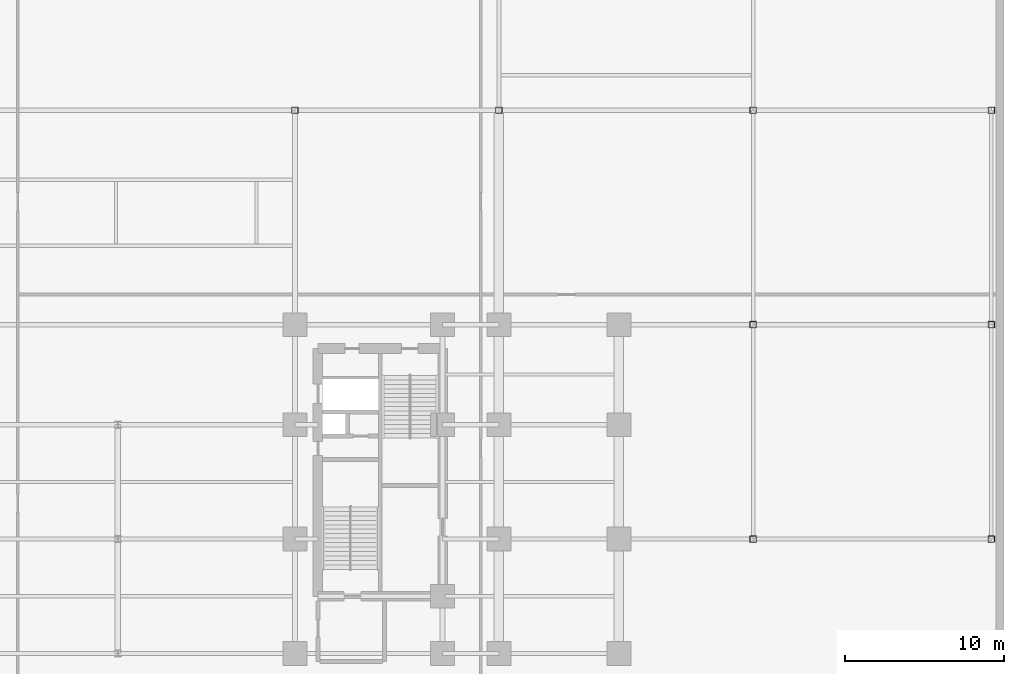
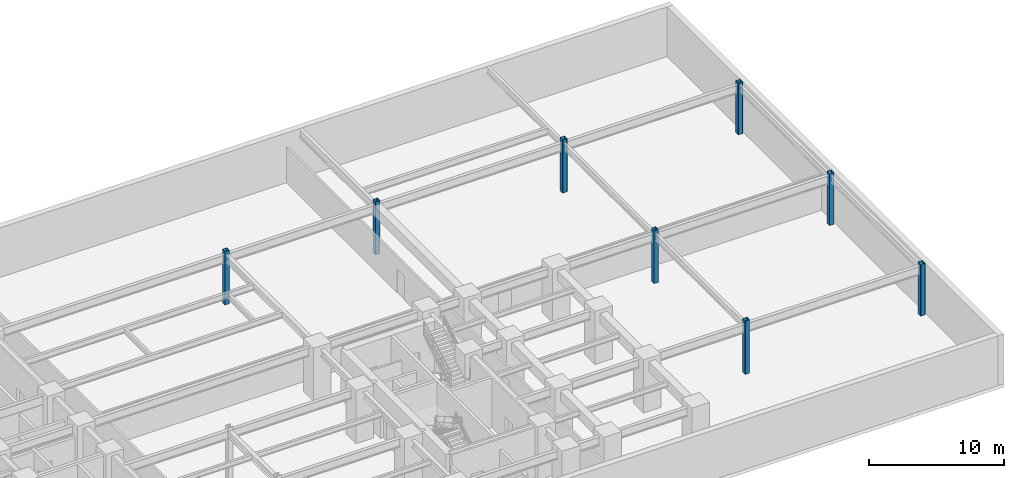
# One storey, part 2 of 9: 8 columns.
"""IFC4 building model written with IfcOpenShell, lengths in metres."""

from ifc_helpers import new_model, entity, si_unit, converted_unit, direction, frame, origin_with_axes, origin_2d_with_axis, place, context, subcontext, project, spatial, hollow_rectangle, extrude, material, material_profile, profile_set, type_object, element, save


model = new_model("IFC4")

# Units and contexts
model_context = context("Model", 3, precision=1e-05, world=origin_with_axes(), true_north=direction((0.0, 1.0)))
body_context = subcontext(model_context, "Body", "Model", "MODEL_VIEW")
ifc_project = project(units=[si_unit("LENGTHUNIT", "METRE"), si_unit("AREAUNIT", "SQUARE_METRE"), si_unit("VOLUMEUNIT", "CUBIC_METRE"), converted_unit("PLANEANGLEUNIT", "DEGREE", entity("IfcPlaneAngleMeasure", 0.017453292519943295), si_unit("PLANEANGLEUNIT", "RADIAN"), dimensions=[0, 0, 0, 0, 0, 0, 0]), si_unit("MASSUNIT", "GRAM", prefix="KILO"), si_unit("THERMODYNAMICTEMPERATUREUNIT", "KELVIN")], contexts=[model_context])

# Site, building, storey
site_placement = place(None, origin_with_axes())
site = spatial("IfcSite", under=ifc_project, at=site_placement, CompositionType="ELEMENT")
building_placement = place(site_placement, origin_with_axes())
building = spatial("IfcBuilding", under=site, at=building_placement, Name="Varnlund Millrace Tower", CompositionType="ELEMENT")
storey_placement = place(building_placement, frame((0.0, 0.0, -4.8), z_axis=(0.0, 0.0, 1.0), x_axis=(1.0, 0.0, 0.0)))
storey = spatial("IfcBuildingStorey", under=building, at=storey_placement, Name="B1", CompositionType="ELEMENT", Elevation=-4.8)

# Columns
ifc_material = material(Name="Steel ASTM A500 Grade C", Category="steel")
ifc_material_profile = material_profile(ifc_material, hollow_rectangle(XDim=0.406, YDim=0.406, WallThickness=0.0147, InnerFilletRadius=0.015, OuterFilletRadius=0.03, at=origin_2d_with_axis()), Name="Steel ASTM A500 Grade C")
ifc_profile_set = profile_set([ifc_material_profile], Name="Steel ASTM A500 Grade C")
column_type = type_object("IfcColumnType", Name="Type-Col-Int-HSS16", PredefinedType="COLUMN", material=ifc_profile_set)
for number, where, z_axis, x_axis, name in (
    (1, (67.6, 10.8, 0.0), (0.0, 0.0, 1.0), (1.0, 0.0, 0.0), "Type-Col-Int-HSS16"),
    (2, (67.6, 24.3, 0.0), (0.0, 0.0, 1.0), (1.0, 0.0, 0.0), "Type-Col-Int-HSS16"),
    (3, (67.6, 37.8, 0.0), (0.0, 0.0, 1.0), (1.0, 0.0, 0.0), "Type-Col-Int-HSS16"),
    (4, (38.75, 37.8, 0.0), (0.0, 0.0, 1.0), (1.0, 0.0, 0.0), "Type-Col-Int-HSS16"),
    (5, (51.6, 37.8, 0.0), (0.0, 0.0, 1.0), (1.0, 0.0, 0.0), "Type-Col-Int-HSS16"),
):
    element("IfcColumn", number, at=place(storey_placement, frame(where, z_axis=z_axis, x_axis=x_axis)), inside=storey, type_object=column_type, Name=name, PredefinedType="COLUMN", context=body_context, shape_type="SweptSolid", body=[
        extrude(hollow_rectangle(XDim=0.406, YDim=0.406, WallThickness=0.0147, InnerFilletRadius=0.015, OuterFilletRadius=0.03, at=origin_2d_with_axis()), origin_with_axes(), (0.0, 0.0, 1.0), 4.8),
    ])
for number, where, z_axis, x_axis, name in (
    (6, (82.6, 10.8, 0.0), (0.0, 0.0, 1.0), (1.0, 0.0, 0.0), "Type-Col-Int-HSS16"),
    (7, (82.6, 24.3, 0.0), (0.0, 0.0, 1.0), (1.0, 0.0, 0.0), "Type-Col-Int-HSS16"),
    (8, (82.6, 37.8, 0.0), (0.0, 0.0, 1.0), (1.0, 0.0, 0.0), "Type-Col-Int-HSS16"),
):
    element("IfcColumn", number, at=place(storey_placement, frame(where, z_axis=z_axis, x_axis=x_axis)), inside=storey, type_object=column_type, Name=name, PredefinedType="COLUMN", context=body_context, shape_type="SweptSolid", body=[
        extrude(hollow_rectangle(XDim=0.406, YDim=0.406, WallThickness=0.0147, InnerFilletRadius=0.015, OuterFilletRadius=0.03, at=origin_2d_with_axis()), origin_with_axes(), (0.0, 0.0, 1.0), 4.68),
    ])

save(model, "model.ifc")
